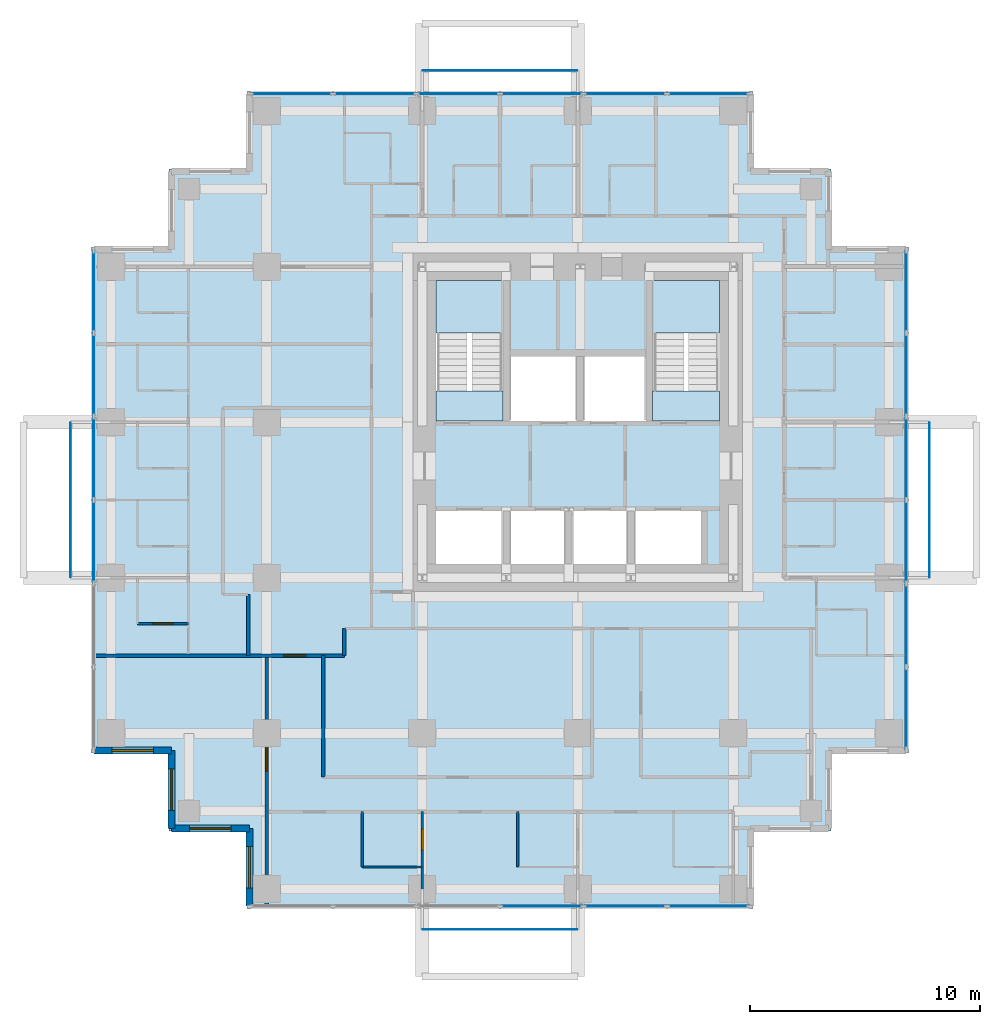
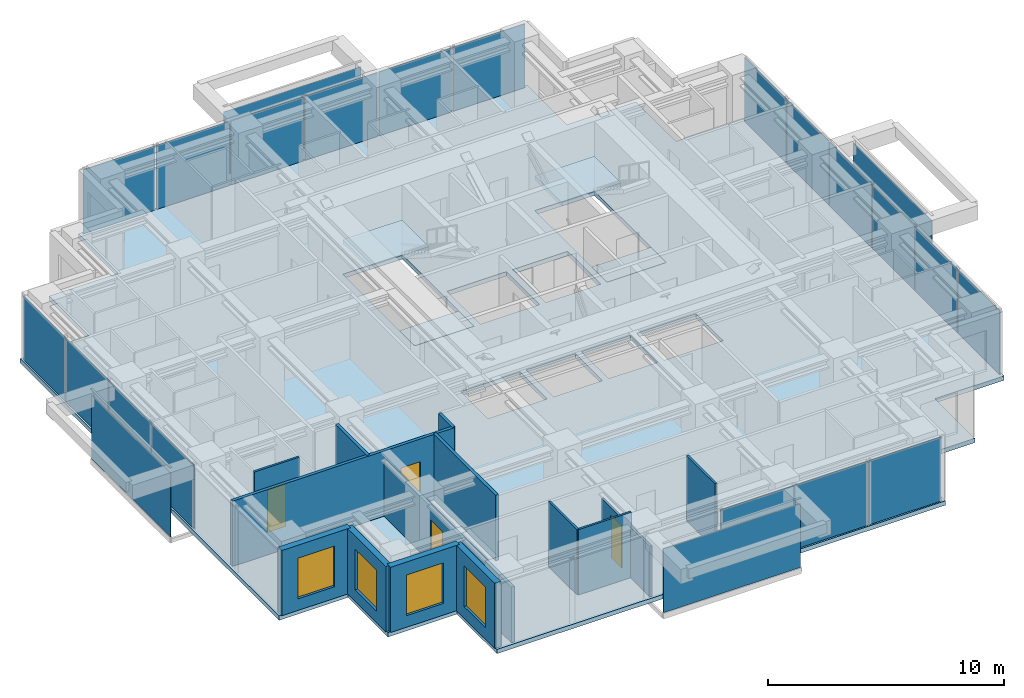
# One storey, part 5 of 10: 23 plates, 14 walls, 5 slabs, 4 doors, 4 windows, 8 openings, 6 elements without a shape of their own.
"""IFC4 building model written with IfcOpenShell, lengths in metres."""

from ifc_helpers import new_model, si_unit, direction, frame, frame_2d, origin, origin_2d, place, context, subcontext, project, spatial, polyline, rectangle, outline, extrude, material, layer, layer_set, type_object, element, fill, aggregate, save


model = new_model("IFC4")

# Units and contexts
model_context = context("Model", 3, precision=1e-05, world=origin(), true_north=direction((0.0, 1.0)))
body_context = subcontext(model_context, "Body", "Model", "MODEL_VIEW")
ifc_project = project(units=[si_unit("LENGTHUNIT", "METRE"), si_unit("AREAUNIT", "SQUARE_METRE"), si_unit("VOLUMEUNIT", "CUBIC_METRE"), si_unit("PLANEANGLEUNIT", "RADIAN"), si_unit("MASSUNIT", "GRAM", prefix="KILO")], contexts=[model_context])

# Site, building, storey
site_placement = place(None, origin())
site = spatial("IfcSite", under=ifc_project, at=site_placement, CompositionType="ELEMENT")
building_placement = place(site_placement, origin())
building = spatial("IfcBuilding", under=site, at=building_placement, Name="Nyansa Garden Tower", CompositionType="ELEMENT")
storey_placement = place(building_placement, frame((0.0, 0.0, 181.800048828125)))
storey = spatial("IfcBuildingStorey", under=building, at=storey_placement, Name="L49", CompositionType="ELEMENT", Elevation=181.800048828125)

# Curtain wall, plates
ifc_material_1 = material(Name="Black anodised aluminium, dark tinted double glazing", Category="aluminium")
curtain_wall_type = type_object("IfcCurtainWallType", Name="Inner skin curtain wall ISW-C", PredefinedType="USERDEFINED", material=ifc_material_1)
curtain_wall_1_placement = place(storey_placement, origin())
curtain_wall_1 = element("IfcCurtainWall", 1, at=curtain_wall_1_placement, inside=storey, type_object=curtain_wall_type, Name="Inner skin curtain wall L49 E", ObjectType="UNITISED CURTAIN WALL", PredefinedType="USERDEFINED")
ifc_material_2 = material(Name="Dark tinted laminated double glazing", Category="glass")
ifc_layer_1 = layer(ifc_material_2, 0.0400390625)
ifc_layer_set_1 = layer_set([ifc_layer_1], Name="Dark tinted vision panel VP-C")
plate_type_1 = type_object("IfcPlateType", Name="Dark tinted vision panel VP-C", PredefinedType="CURTAIN_PANEL", material=ifc_layer_set_1)
plate_1_placement = place(storey_placement, frame((34.5, 7.830078125, 0.0), z_axis=(0.0, 0.0, 1.0), x_axis=(0.0, 1.0, 0.0)))
plate_1 = element("IfcPlate", 2, at=plate_1_placement, type_object=plate_type_1, Name="ISW-C panel 1", PredefinedType="CURTAIN_PANEL", context=body_context, shape_type="SweptSolid", body=[
    extrude(rectangle(XDim=3.52001953125, YDim=0.0400390625, at=origin_2d()), origin(), (0.0, 0.0, 1.0), 3.304931640625),
])
plate_2_placement = place(storey_placement, frame((34.5, 11.4375, 0.0), z_axis=(0.0, 0.0, 1.0), x_axis=(0.0, 1.0, 0.0)))
plate_2 = element("IfcPlate", 3, at=plate_2_placement, type_object=plate_type_1, Name="ISW-C panel 2", PredefinedType="CURTAIN_PANEL", context=body_context, shape_type="SweptSolid", body=[
    extrude(rectangle(XDim=3.554931640625, YDim=0.0400390625, at=origin_2d()), origin(), (0.0, 0.0, 1.0), 3.304931640625),
])
plate_3_placement = place(storey_placement, frame((34.5, 15.0625, 0.0), z_axis=(0.0, 0.0, 1.0), x_axis=(0.0, 1.0, 0.0)))
plate_3 = element("IfcPlate", 4, at=plate_3_placement, type_object=plate_type_1, Name="ISW-C panel 3", PredefinedType="CURTAIN_PANEL", context=body_context, shape_type="SweptSolid", body=[
    extrude(rectangle(XDim=3.554931640625, YDim=0.0400390625, at=origin_2d()), origin(), (0.0, 0.0, 1.0), 3.304931640625),
])
plate_4_placement = place(storey_placement, frame((34.5, 18.6875, 0.0), z_axis=(0.0, 0.0, 1.0), x_axis=(0.0, 1.0, 0.0)))
plate_4 = element("IfcPlate", 5, at=plate_4_placement, type_object=plate_type_1, Name="ISW-C panel 4", PredefinedType="CURTAIN_PANEL", context=body_context, shape_type="SweptSolid", body=[
    extrude(rectangle(XDim=3.554931640625, YDim=0.0400390625, at=origin_2d()), origin(), (0.0, 0.0, 1.0), 3.304931640625),
])
plate_5_placement = place(storey_placement, frame((34.5, 22.3125, 0.0), z_axis=(0.0, 0.0, 1.0), x_axis=(0.0, 1.0, 0.0)))
plate_5 = element("IfcPlate", 6, at=plate_5_placement, type_object=plate_type_1, Name="ISW-C panel 5", PredefinedType="CURTAIN_PANEL", context=body_context, shape_type="SweptSolid", body=[
    extrude(rectangle(XDim=3.554931640625, YDim=0.0400390625, at=origin_2d()), origin(), (0.0, 0.0, 1.0), 3.304931640625),
])
plate_6_placement = place(storey_placement, frame((34.5, 25.919921875, 0.0), z_axis=(0.0, 0.0, 1.0), x_axis=(0.0, 1.0, 0.0)))
plate_6 = element("IfcPlate", 7, at=plate_6_placement, type_object=plate_type_1, Name="ISW-C panel 6", PredefinedType="CURTAIN_PANEL", context=body_context, shape_type="SweptSolid", body=[
    extrude(rectangle(XDim=3.52001953125, YDim=0.0400390625, at=origin_2d()), origin(), (0.0, 0.0, 1.0), 3.304931640625),
])
aggregate(curtain_wall_1, [plate_1, plate_2, plate_3, plate_4, plate_5, plate_6])

curtain_wall_2_placement = place(storey_placement, origin())
curtain_wall_2 = element("IfcCurtainWall", 8, at=curtain_wall_2_placement, inside=storey, type_object=curtain_wall_type, Name="Inner skin curtain wall L49 N", ObjectType="UNITISED CURTAIN WALL", PredefinedType="USERDEFINED")
plate_7_placement = place(storey_placement, frame((25.919921875, 34.5, 0.0), z_axis=(0.0, 0.0, 1.0), x_axis=(-1.0, 0.0, 0.0)))
plate_7 = element("IfcPlate", 9, at=plate_7_placement, type_object=plate_type_1, Name="ISW-C panel 1", PredefinedType="CURTAIN_PANEL", context=body_context, shape_type="SweptSolid", body=[
    extrude(rectangle(XDim=3.52001953125, YDim=0.0400390625, at=origin_2d()), origin(), (0.0, 0.0, 1.0), 3.304931640625),
])
plate_8_placement = place(storey_placement, frame((22.3125, 34.5, 0.0), z_axis=(0.0, 0.0, 1.0), x_axis=(-1.0, 0.0, 0.0)))
plate_8 = element("IfcPlate", 10, at=plate_8_placement, type_object=plate_type_1, Name="ISW-C panel 2", PredefinedType="CURTAIN_PANEL", context=body_context, shape_type="SweptSolid", body=[
    extrude(rectangle(XDim=3.554931640625, YDim=0.0400390625, at=origin_2d()), origin(), (0.0, 0.0, 1.0), 3.304931640625),
])
plate_9_placement = place(storey_placement, frame((18.6875, 34.5, 0.0), z_axis=(0.0, 0.0, 1.0), x_axis=(-1.0, 0.0, 0.0)))
plate_9 = element("IfcPlate", 11, at=plate_9_placement, type_object=plate_type_1, Name="ISW-C panel 3", PredefinedType="CURTAIN_PANEL", context=body_context, shape_type="SweptSolid", body=[
    extrude(rectangle(XDim=3.554931640625, YDim=0.0400390625, at=origin_2d()), origin(), (0.0, 0.0, 1.0), 3.304931640625),
])
plate_10_placement = place(storey_placement, frame((15.0625, 34.5, 0.0), z_axis=(0.0, 0.0, 1.0), x_axis=(-1.0, 0.0, 0.0)))
plate_10 = element("IfcPlate", 12, at=plate_10_placement, type_object=plate_type_1, Name="ISW-C panel 4", PredefinedType="CURTAIN_PANEL", context=body_context, shape_type="SweptSolid", body=[
    extrude(rectangle(XDim=3.554931640625, YDim=0.0400390625, at=origin_2d()), origin(), (0.0, 0.0, 1.0), 3.304931640625),
])
plate_11_placement = place(storey_placement, frame((11.4375, 34.5, 0.0), z_axis=(0.0, 0.0, 1.0), x_axis=(-1.0, 0.0, 0.0)))
plate_11 = element("IfcPlate", 13, at=plate_11_placement, type_object=plate_type_1, Name="ISW-C panel 5", PredefinedType="CURTAIN_PANEL", context=body_context, shape_type="SweptSolid", body=[
    extrude(rectangle(XDim=3.554931640625, YDim=0.0400390625, at=origin_2d()), origin(), (0.0, 0.0, 1.0), 3.304931640625),
])
plate_12_placement = place(storey_placement, frame((7.830078125, 34.5, 0.0), z_axis=(0.0, 0.0, 1.0), x_axis=(-1.0, 0.0, 0.0)))
plate_12 = element("IfcPlate", 14, at=plate_12_placement, type_object=plate_type_1, Name="ISW-C panel 6", PredefinedType="CURTAIN_PANEL", context=body_context, shape_type="SweptSolid", body=[
    extrude(rectangle(XDim=3.52001953125, YDim=0.0400390625, at=origin_2d()), origin(), (0.0, 0.0, 1.0), 3.304931640625),
])
aggregate(curtain_wall_2, [plate_7, plate_8, plate_9, plate_10, plate_11, plate_12])

curtain_wall_3_placement = place(storey_placement, origin())
curtain_wall_3 = element("IfcCurtainWall", 15, at=curtain_wall_3_placement, inside=storey, type_object=curtain_wall_type, Name="Inner skin curtain wall L49 W", ObjectType="UNITISED CURTAIN WALL", PredefinedType="USERDEFINED")
plate_13_placement = place(storey_placement, frame((-0.75, 25.919921875, 0.0), z_axis=(0.0, 0.0, 1.0), x_axis=(0.0, -1.0, 0.0)))
plate_13 = element("IfcPlate", 16, at=plate_13_placement, type_object=plate_type_1, Name="ISW-C panel 1", PredefinedType="CURTAIN_PANEL", context=body_context, shape_type="SweptSolid", body=[
    extrude(rectangle(XDim=3.52001953125, YDim=0.0400390625, at=origin_2d()), origin(), (0.0, 0.0, 1.0), 3.304931640625),
])
plate_14_placement = place(storey_placement, frame((-0.75, 22.3125, 0.0), z_axis=(0.0, 0.0, 1.0), x_axis=(0.0, -1.0, 0.0)))
plate_14 = element("IfcPlate", 17, at=plate_14_placement, type_object=plate_type_1, Name="ISW-C panel 2", PredefinedType="CURTAIN_PANEL", context=body_context, shape_type="SweptSolid", body=[
    extrude(rectangle(XDim=3.554931640625, YDim=0.0400390625, at=origin_2d()), origin(), (0.0, 0.0, 1.0), 3.304931640625),
])
plate_15_placement = place(storey_placement, frame((-0.75, 18.6875, 0.0), z_axis=(0.0, 0.0, 1.0), x_axis=(0.0, -1.0, 0.0)))
plate_15 = element("IfcPlate", 18, at=plate_15_placement, type_object=plate_type_1, Name="ISW-C panel 3", PredefinedType="CURTAIN_PANEL", context=body_context, shape_type="SweptSolid", body=[
    extrude(rectangle(XDim=3.554931640625, YDim=0.0400390625, at=origin_2d()), origin(), (0.0, 0.0, 1.0), 3.304931640625),
])
plate_16_placement = place(storey_placement, frame((-0.75, 15.0625, 0.0), z_axis=(0.0, 0.0, 1.0), x_axis=(0.0, -1.0, 0.0)))
plate_16 = element("IfcPlate", 19, at=plate_16_placement, type_object=plate_type_1, Name="ISW-C panel 4", PredefinedType="CURTAIN_PANEL", context=body_context, shape_type="SweptSolid", body=[
    extrude(rectangle(XDim=3.554931640625, YDim=0.0400390625, at=origin_2d()), origin(), (0.0, 0.0, 1.0), 3.304931640625),
])
aggregate(curtain_wall_3, [plate_13, plate_14, plate_15, plate_16])

curtain_wall_4_placement = place(storey_placement, origin())
curtain_wall_4 = element("IfcCurtainWall", 20, at=curtain_wall_4_placement, inside=storey, type_object=curtain_wall_type, Name="Inner skin curtain wall L49 S", ObjectType="UNITISED CURTAIN WALL", PredefinedType="USERDEFINED")
plate_17_placement = place(storey_placement, frame((18.6875, -0.75, 0.0), z_axis=(0.0, 0.0, 1.0), x_axis=(1.0, 0.0, 0.0)))
plate_17 = element("IfcPlate", 21, at=plate_17_placement, type_object=plate_type_1, Name="ISW-C panel 4", PredefinedType="CURTAIN_PANEL", context=body_context, shape_type="SweptSolid", body=[
    extrude(rectangle(XDim=3.554931640625, YDim=0.0400390625, at=origin_2d()), origin(), (0.0, 0.0, 1.0), 3.304931640625),
])
plate_18_placement = place(storey_placement, frame((22.3125, -0.75, 0.0), z_axis=(0.0, 0.0, 1.0), x_axis=(1.0, 0.0, 0.0)))
plate_18 = element("IfcPlate", 22, at=plate_18_placement, type_object=plate_type_1, Name="ISW-C panel 5", PredefinedType="CURTAIN_PANEL", context=body_context, shape_type="SweptSolid", body=[
    extrude(rectangle(XDim=3.554931640625, YDim=0.0400390625, at=origin_2d()), origin(), (0.0, 0.0, 1.0), 3.304931640625),
])
plate_19_placement = place(storey_placement, frame((25.919921875, -0.75, 0.0), z_axis=(0.0, 0.0, 1.0), x_axis=(1.0, 0.0, 0.0)))
plate_19 = element("IfcPlate", 23, at=plate_19_placement, type_object=plate_type_1, Name="ISW-C panel 6", PredefinedType="CURTAIN_PANEL", context=body_context, shape_type="SweptSolid", body=[
    extrude(rectangle(XDim=3.52001953125, YDim=0.0400390625, at=origin_2d()), origin(), (0.0, 0.0, 1.0), 3.304931640625),
])
aggregate(curtain_wall_4, [plate_17, plate_18, plate_19])

# Slab
ifc_material_3 = material(Name="Concrete C40/50", Category="concrete")
ifc_layer_2 = layer(ifc_material_3, 0.22509765625)
ifc_layer_set_2 = layer_set([ifc_layer_2], Name="Floor slab FS225")
slab_type_1 = type_object("IfcSlabType", Name="Floor slab FS225", PredefinedType="FLOOR", material=ifc_layer_set_2)
slab_1_placement = place(storey_placement, frame((0.0, 0.0, -0.22509765625)))
element("IfcSlab", 24, at=slab_1_placement, inside=storey, type_object=slab_type_1, Name="Floor slab L49", PredefinedType="FLOOR", context=body_context, shape_type="SweptSolid", body=[
    extrude(outline(polyline([(34.60009765625, 5.89990234375), (31.22509765625, 5.89990234375), (31.22509765625, 2.52490234375), (27.85009765625, 2.52490234375), (27.85009765625, -0.85009765625), (5.89990234375, -0.85009765625), (5.89990234375, 2.52490234375), (2.52490234375, 2.52490234375), (2.52490234375, 5.89990234375), (-0.85009765625, 5.89990234375), (-0.85009765625, 27.85009765625), (2.52490234375, 27.85009765625), (2.52490234375, 31.22509765625), (5.89990234375, 31.22509765625), (5.89990234375, 34.60009765625), (27.85009765625, 34.60009765625), (27.85009765625, 31.22509765625), (31.22509765625, 31.22509765625), (31.22509765625, 27.85009765625), (34.60009765625, 27.85009765625), (34.60009765625, 5.89990234375)]), holes=[polyline([(14.10009765625, 14.10009765625), (17.0, 14.10009765625), (17.0, 16.39990234375), (14.10009765625, 16.39990234375), (14.10009765625, 14.10009765625)]), polyline([(17.300048828125, 14.10009765625), (19.699951171875, 14.10009765625), (19.699951171875, 16.39990234375), (17.300048828125, 16.39990234375), (17.300048828125, 14.10009765625)]), polyline([(20.0, 14.10009765625), (22.39990234375, 14.10009765625), (22.39990234375, 16.39990234375), (20.0, 16.39990234375), (20.0, 14.10009765625)]), polyline([(22.699951171875, 14.10009765625), (25.60009765625, 14.10009765625), (25.60009765625, 16.39990234375), (22.699951171875, 16.39990234375), (22.699951171875, 14.10009765625)]), polyline([(17.300048828125, 20.300048828125), (20.199951171875, 20.300048828125), (20.199951171875, 23.10009765625), (17.300048828125, 23.10009765625), (17.300048828125, 20.300048828125)]), polyline([(20.5, 20.300048828125), (23.199951171875, 20.300048828125), (23.199951171875, 23.10009765625), (20.5, 23.10009765625), (20.5, 20.300048828125)]), polyline([(14.10009765625, 20.300048828125), (17.0, 20.300048828125), (17.0, 26.39990234375), (14.10009765625, 26.39990234375), (14.10009765625, 20.300048828125)]), polyline([(23.5, 20.300048828125), (26.39990234375, 20.300048828125), (26.39990234375, 26.39990234375), (23.5, 26.39990234375), (23.5, 20.300048828125)])]), origin(), (0.0, 0.0, 1.0), 0.22509765625),
])

# Plates
ifc_material_4 = material(Name="Dark tinted laminated glass", Category="glass")
ifc_layer_3 = layer(ifc_material_4, 0.02392578125)
ifc_layer_set_3 = layer_set([ifc_layer_3], Name="Outer skin glass panel OS1")
plate_type_2 = type_object("IfcPlateType", Name="Outer skin glass panel OS1", PredefinedType="USERDEFINED", material=ifc_layer_set_3)
for number, where, z_axis, x_axis, name in (
    (25, (35.5, 16.875, -0.22509765625), (0.0, 0.0, 1.0), (0.0, 1.0, 0.0), "Outer skin glass panel L49"),
    (26, (16.875, 35.5, -0.22509765625), (0.0, 0.0, 1.0), (1.0, 0.0, 0.0), "Outer skin glass panel L49"),
    (27, (-1.75, 16.875, -0.22509765625), (0.0, 0.0, 1.0), (0.0, 1.0, 0.0), "Outer skin glass panel L49"),
    (28, (16.875, -1.75, -0.22509765625), (0.0, 0.0, 1.0), (1.0, 0.0, 0.0), "Outer skin glass panel L49"),
):
    element("IfcPlate", number, at=place(storey_placement, frame(where, z_axis=z_axis, x_axis=x_axis)), inside=storey, type_object=plate_type_2, Name=name, ObjectType="OUTER SKIN GLASS", PredefinedType="USERDEFINED", context=body_context, shape_type="SweptSolid", body=[
        extrude(rectangle(XDim=6.7099609375, YDim=0.02392578125, at=origin_2d()), origin(), (0.0, 0.0, 1.0), 3.300048828125),
    ])

# Stair, slabs
ifc_material_5 = material(Name="Precast concrete C40/50", Category="concrete")
stair_type_1 = type_object("IfcStairType", Name="Stair S1 180x280", PredefinedType="HALF_TURN_STAIR", material=ifc_material_5)
stair_1_placement = place(storey_placement, origin())
stair_1 = element("IfcStair", 29, at=stair_1_placement, inside=storey, type_object=stair_type_1, Name="Stair S1 L49", PredefinedType="HALF_TURN_STAIR")
ifc_material_6 = material(Name="Concrete C40/50", Category="concrete")
ifc_layer_4 = layer(ifc_material_6, 0.199951171875)
ifc_layer_set_4 = layer_set([ifc_layer_4], Name="Stair landing SL200")
slab_type_2 = type_object("IfcSlabType", Name="Stair landing SL200", PredefinedType="LANDING", material=ifc_layer_set_4)
slab_2_placement = place(storey_placement, frame((0.0, 0.0, -0.199951171875)))
slab_2 = element("IfcSlab", 30, at=slab_2_placement, type_object=slab_type_2, Name="S1 landing 1", PredefinedType="LANDING", context=body_context, shape_type="SweptSolid", body=[
    extrude(outline(polyline([(14.10009765625, 20.300048828125), (17.0, 20.300048828125), (17.0, 21.60009765625), (14.10009765625, 21.60009765625), (14.10009765625, 20.300048828125)])), origin(), (0.0, 0.0, 1.0), 0.199951171875),
])
slab_3_placement = place(storey_placement, frame((0.0, 0.0, 1.599853515625)))
slab_3 = element("IfcSlab", 31, at=slab_3_placement, type_object=slab_type_2, Name="S1 landing 2", PredefinedType="LANDING", context=body_context, shape_type="SweptSolid", body=[
    extrude(outline(polyline([(14.10009765625, 24.1201171875), (17.0, 24.1201171875), (17.0, 26.39990234375), (14.10009765625, 26.39990234375), (14.10009765625, 24.1201171875)])), origin(), (0.0, 0.0, 1.0), 0.2001953125),
])
aggregate(stair_1, [slab_2, slab_3])

ifc_material_7 = material(Name="Precast concrete C40/50", Category="concrete")
stair_type_2 = type_object("IfcStairType", Name="Stair S2 180x280", PredefinedType="HALF_TURN_STAIR", material=ifc_material_7)
stair_2_placement = place(storey_placement, origin())
stair_2 = element("IfcStair", 32, at=stair_2_placement, inside=storey, type_object=stair_type_2, Name="Stair S2 L49", PredefinedType="HALF_TURN_STAIR")
slab_4_placement = place(storey_placement, frame((0.0, 0.0, -0.199951171875)))
slab_4 = element("IfcSlab", 33, at=slab_4_placement, type_object=slab_type_2, Name="S2 landing 1", PredefinedType="LANDING", context=body_context, shape_type="SweptSolid", body=[
    extrude(outline(polyline([(23.5, 20.300048828125), (26.39990234375, 20.300048828125), (26.39990234375, 21.60009765625), (23.5, 21.60009765625), (23.5, 20.300048828125)])), origin(), (0.0, 0.0, 1.0), 0.199951171875),
])
slab_5_placement = place(storey_placement, frame((0.0, 0.0, 1.599853515625)))
slab_5 = element("IfcSlab", 34, at=slab_5_placement, type_object=slab_type_2, Name="S2 landing 2", PredefinedType="LANDING", context=body_context, shape_type="SweptSolid", body=[
    extrude(outline(polyline([(23.5, 24.1201171875), (26.39990234375, 24.1201171875), (26.39990234375, 26.39990234375), (23.5, 26.39990234375), (23.5, 24.1201171875)])), origin(), (0.0, 0.0, 1.0), 0.2001953125),
])
aggregate(stair_2, [slab_4, slab_5])

# Wall, opening, door
ifc_material_8 = material(Name="Blockwork, plastered both sides", Category="masonry")
ifc_layer_5 = layer(ifc_material_8, 0.14990234375)
ifc_layer_set_5 = layer_set([ifc_layer_5], Name="Partition PW150")
wall_type_1 = type_object("IfcWallType", Name="Partition PW150", PredefinedType="PARTITIONING", material=ifc_layer_set_5)
wall_1_placement = place(storey_placement, frame((-0.73388671875, 10.125, 0.0), z_axis=(0.0, 0.0, 1.0), x_axis=(1.0, 0.0, 0.0)))
wall_1 = element("IfcWall", 35, at=wall_1_placement, inside=storey, type_object=wall_type_1, Name="Partition", PredefinedType="PARTITIONING", context=body_context, shape_type="SweptSolid", body=[
    extrude(rectangle(XDim=10.85888671875, YDim=0.14990234375, at=frame_2d((5.429443359375, 0.0))), origin(), (0.0, 0.0, 1.0), 3.375),
])
opening_1_placement = place(wall_1_placement, frame((8.23388671875, 0.0, 0.0)))
opening_1 = element("IfcOpeningElement", 36, at=opening_1_placement, cuts=wall_1, Name="Opening D01", PredefinedType="OPENING", context=body_context, shape_type="SweptSolid", body=[
    extrude(rectangle(XDim=0.949951171875, YDim=2.199951171875, at=frame_2d((0.47509765625, 1.10009765625))), frame((0.0, 0.0849609375, 0.0), z_axis=(0.0, -1.0, 0.0), x_axis=(1.0, 0.0, 0.0)), (0.0, 0.0, 1.0), 0.169921875),
])
ifc_material_9 = material(Name="Timber flush door, 30 minute fire resisting", Category="wood")
door_type_1 = type_object("IfcDoorType", Name="Bedroom door D01 950x2200", OperationType="SINGLE_SWING_LEFT", PredefinedType="DOOR", material=ifc_material_9)
door_1_placement = place(opening_1_placement, origin())
door_1 = element("IfcDoor", 37, at=door_1_placement, inside=storey, type_object=door_type_1, Name="Door L49-062", OperationType="SINGLE_SWING_LEFT", OverallHeight=2.199951171875, OverallWidth=0.949951171875, PredefinedType="DOOR", context=body_context, shape_type="SweptSolid", body=[
    extrude(rectangle(XDim=0.949951171875, YDim=2.199951171875, at=frame_2d((0.47509765625, 1.10009765625))), frame((0.0, 0.02490234375, 0.0), z_axis=(0.0, -1.0, 0.0), x_axis=(1.0, 0.0, 0.0)), (0.0, 0.0, 1.0), 0.050048828125),
])
fill(opening_1, door_1)

# Wall
wall_2_placement = place(storey_placement, frame((5.949951171875, 10.125, 0.0), z_axis=(0.0, 0.0, 1.0), x_axis=(0.0, 1.0, 0.0)))
element("IfcWall", 38, at=wall_2_placement, inside=storey, type_object=wall_type_1, Name="Partition", PredefinedType="PARTITIONING", context=body_context, shape_type="SweptSolid", body=[
    extrude(rectangle(XDim=2.64990234375, YDim=0.14990234375, at=frame_2d((1.324951171875, 0.0))), origin(), (0.0, 0.0, 1.0), 3.375),
])

# Wall, opening, door
wall_3_placement = place(storey_placement, frame((6.75, -0.73388671875, 0.0), z_axis=(0.0, 0.0, 1.0), x_axis=(0.0, 1.0, 0.0)))
wall_3 = element("IfcWall", 39, at=wall_3_placement, inside=storey, type_object=wall_type_1, Name="Partition", PredefinedType="PARTITIONING", context=body_context, shape_type="SweptSolid", body=[
    extrude(rectangle(XDim=10.85888671875, YDim=0.14990234375, at=frame_2d((5.429443359375, 0.0))), origin(), (0.0, 0.0, 1.0), 2.876953125),
])
opening_2_placement = place(wall_3_placement, frame((5.833984375, 0.0, 0.0)))
opening_2 = element("IfcOpeningElement", 40, at=opening_2_placement, cuts=wall_3, Name="Opening D03", PredefinedType="OPENING", context=body_context, shape_type="SweptSolid", body=[
    extrude(rectangle(XDim=1.0, YDim=2.199951171875, at=frame_2d((0.5, 1.10009765625))), frame((0.0, 0.0849609375, 0.0), z_axis=(0.0, -1.0, 0.0), x_axis=(1.0, 0.0, 0.0)), (0.0, 0.0, 1.0), 0.169921875),
])
ifc_material_10 = material(Name="Timber flush door, 60 minute fire resisting", Category="wood")
door_type_2 = type_object("IfcDoorType", Name="Cluster entrance door D03 1000x2200", OperationType="SINGLE_SWING_LEFT", PredefinedType="DOOR", material=ifc_material_10)
door_2_placement = place(opening_2_placement, origin())
door_2 = element("IfcDoor", 41, at=door_2_placement, inside=storey, type_object=door_type_2, Name="Door L49-017", OperationType="SINGLE_SWING_LEFT", OverallHeight=2.199951171875, OverallWidth=1.0, PredefinedType="DOOR", context=body_context, shape_type="SweptSolid", body=[
    extrude(rectangle(XDim=1.0, YDim=2.199951171875, at=frame_2d((0.5, 1.10009765625))), frame((0.0, 0.02490234375, 0.0), z_axis=(0.0, -1.0, 0.0), x_axis=(1.0, 0.0, 0.0)), (0.0, 0.0, 1.0), 0.050048828125),
])
fill(opening_2, door_2)

# Walls
wall_4_placement = place(storey_placement, frame((9.199951171875, 4.85009765625, 0.0), z_axis=(0.0, 0.0, 1.0), x_axis=(0.0, 1.0, 0.0)))
element("IfcWall", 42, at=wall_4_placement, inside=storey, type_object=wall_type_1, Name="Partition", PredefinedType="PARTITIONING", context=body_context, shape_type="SweptSolid", body=[
    extrude(rectangle(XDim=5.27490234375, YDim=0.14990234375, at=frame_2d((2.637451171875, 0.0))), origin(), (0.0, 0.0, 1.0), 3.375),
])
wall_5_placement = place(storey_placement, frame((10.125, 10.125, 0.0), z_axis=(0.0, 0.0, 1.0), x_axis=(0.0, 1.0, 0.0)))
element("IfcWall", 43, at=wall_5_placement, inside=storey, type_object=wall_type_1, Name="Partition", PredefinedType="PARTITIONING", context=body_context, shape_type="SweptSolid", body=[
    extrude(rectangle(XDim=1.175048828125, YDim=0.14990234375, at=frame_2d((0.58740234375, 0.0))), origin(), (0.0, 0.0, 1.0), 3.375),
])

# Wall, opening, window
ifc_material_11 = material(Name="Turquoise glazed tile on concrete blockwork", Category="masonry")
ifc_layer_6 = layer(ifc_material_11, 0.300048828125)
ifc_layer_set_6 = layer_set([ifc_layer_6], Name="Tiled corner wall TW300")
wall_type_2 = type_object("IfcWallType", Name="Tiled corner wall TW300", PredefinedType="SOLIDWALL", material=ifc_layer_set_6)
wall_6_placement = place(storey_placement, frame((-0.75, 6.0, 0.0), z_axis=(0.0, 0.0, 1.0), x_axis=(1.0, 0.0, 0.0)))
wall_6 = element("IfcWall", 44, at=wall_6_placement, inside=storey, type_object=wall_type_2, Name="Tiled corner wall L49", PredefinedType="SOLIDWALL", context=body_context, shape_type="SweptSolid", body=[
    extrude(rectangle(XDim=3.375, YDim=0.300048828125, at=frame_2d((1.6875, 0.0))), origin(), (0.0, 0.0, 1.0), 3.375),
])
opening_3_placement = place(wall_6_placement, frame((0.78759765625, 0.0, 0.60009765625)))
opening_3 = element("IfcOpeningElement", 45, at=opening_3_placement, cuts=wall_6, Name="Opening W2", PredefinedType="OPENING", context=body_context, shape_type="SweptSolid", body=[
    extrude(rectangle(XDim=1.800048828125, YDim=2.10009765625, at=frame_2d((0.89990234375, 1.050048828125))), frame((0.0, 0.159912109375, 0.0), z_axis=(0.0, -1.0, 0.0), x_axis=(1.0, 0.0, 0.0)), (0.0, 0.0, 1.0), 0.320068359375),
])
ifc_material_12 = material(Name="Black aluminium frame, dark tinted double glazing", Category="aluminium")
window_type = type_object("IfcWindowType", Name="Window W2 1800x2100", PartitioningType="SINGLE_PANEL", PredefinedType="WINDOW", material=ifc_material_12)
window_1_placement = place(opening_3_placement, origin())
window_1 = element("IfcWindow", 46, at=window_1_placement, inside=storey, type_object=window_type, Name="Corner window L49", OverallHeight=2.10009765625, OverallWidth=1.800048828125, PartitioningType="SINGLE_PANEL", PredefinedType="WINDOW", context=body_context, shape_type="SweptSolid", body=[
    extrude(rectangle(XDim=1.800048828125, YDim=2.10009765625, at=frame_2d((0.89990234375, 1.050048828125))), frame((0.0, 0.030029296875, 0.0), z_axis=(0.0, -1.0, 0.0), x_axis=(1.0, 0.0, 0.0)), (0.0, 0.0, 1.0), 0.06005859375),
])
fill(opening_3, window_1)

wall_7_placement = place(storey_placement, frame((2.625, 6.0, 0.0), z_axis=(0.0, 0.0, 1.0), x_axis=(0.0, -1.0, 0.0)))
wall_7 = element("IfcWall", 47, at=wall_7_placement, inside=storey, type_object=wall_type_2, Name="Tiled corner wall L49", PredefinedType="SOLIDWALL", context=body_context, shape_type="SweptSolid", body=[
    extrude(rectangle(XDim=3.375, YDim=0.300048828125, at=frame_2d((1.6875, 0.0))), origin(), (0.0, 0.0, 1.0), 3.375),
])
opening_4_placement = place(wall_7_placement, frame((0.78759765625, 0.0, 0.60009765625)))
opening_4 = element("IfcOpeningElement", 48, at=opening_4_placement, cuts=wall_7, Name="Opening W2", PredefinedType="OPENING", context=body_context, shape_type="SweptSolid", body=[
    extrude(rectangle(XDim=1.800048828125, YDim=2.10009765625, at=frame_2d((0.89990234375, 1.050048828125))), frame((0.0, 0.159912109375, 0.0), z_axis=(0.0, -1.0, 0.0), x_axis=(1.0, 0.0, 0.0)), (0.0, 0.0, 1.0), 0.320068359375),
])
window_2_placement = place(opening_4_placement, origin())
window_2 = element("IfcWindow", 49, at=window_2_placement, inside=storey, type_object=window_type, Name="Corner window L49", OverallHeight=2.10009765625, OverallWidth=1.800048828125, PartitioningType="SINGLE_PANEL", PredefinedType="WINDOW", context=body_context, shape_type="SweptSolid", body=[
    extrude(rectangle(XDim=1.800048828125, YDim=2.10009765625, at=frame_2d((0.89990234375, 1.050048828125))), frame((0.0, 0.030029296875, 0.0), z_axis=(0.0, -1.0, 0.0), x_axis=(1.0, 0.0, 0.0)), (0.0, 0.0, 1.0), 0.06005859375),
])
fill(opening_4, window_2)

wall_8_placement = place(storey_placement, frame((2.625, 2.625, 0.0), z_axis=(0.0, 0.0, 1.0), x_axis=(1.0, 0.0, 0.0)))
wall_8 = element("IfcWall", 50, at=wall_8_placement, inside=storey, type_object=wall_type_2, Name="Tiled corner wall L49", PredefinedType="SOLIDWALL", context=body_context, shape_type="SweptSolid", body=[
    extrude(rectangle(XDim=3.375, YDim=0.300048828125, at=frame_2d((1.6875, 0.0))), origin(), (0.0, 0.0, 1.0), 3.375),
])
opening_5_placement = place(wall_8_placement, frame((0.78759765625, 0.0, 0.60009765625)))
opening_5 = element("IfcOpeningElement", 51, at=opening_5_placement, cuts=wall_8, Name="Opening W2", PredefinedType="OPENING", context=body_context, shape_type="SweptSolid", body=[
    extrude(rectangle(XDim=1.800048828125, YDim=2.10009765625, at=frame_2d((0.89990234375, 1.050048828125))), frame((0.0, 0.159912109375, 0.0), z_axis=(0.0, -1.0, 0.0), x_axis=(1.0, 0.0, 0.0)), (0.0, 0.0, 1.0), 0.320068359375),
])
window_3_placement = place(opening_5_placement, origin())
window_3 = element("IfcWindow", 52, at=window_3_placement, inside=storey, type_object=window_type, Name="Corner window L49", OverallHeight=2.10009765625, OverallWidth=1.800048828125, PartitioningType="SINGLE_PANEL", PredefinedType="WINDOW", context=body_context, shape_type="SweptSolid", body=[
    extrude(rectangle(XDim=1.800048828125, YDim=2.10009765625, at=frame_2d((0.89990234375, 1.050048828125))), frame((0.0, 0.030029296875, 0.0), z_axis=(0.0, -1.0, 0.0), x_axis=(1.0, 0.0, 0.0)), (0.0, 0.0, 1.0), 0.06005859375),
])
fill(opening_5, window_3)

wall_9_placement = place(storey_placement, frame((6.0, 2.625, 0.0), z_axis=(0.0, 0.0, 1.0), x_axis=(0.0, -1.0, 0.0)))
wall_9 = element("IfcWall", 53, at=wall_9_placement, inside=storey, type_object=wall_type_2, Name="Tiled corner wall L49", PredefinedType="SOLIDWALL", context=body_context, shape_type="SweptSolid", body=[
    extrude(rectangle(XDim=3.375, YDim=0.300048828125, at=frame_2d((1.6875, 0.0))), origin(), (0.0, 0.0, 1.0), 3.375),
])
opening_6_placement = place(wall_9_placement, frame((0.78759765625, 0.0, 0.60009765625)))
opening_6 = element("IfcOpeningElement", 54, at=opening_6_placement, cuts=wall_9, Name="Opening W2", PredefinedType="OPENING", context=body_context, shape_type="SweptSolid", body=[
    extrude(rectangle(XDim=1.800048828125, YDim=2.10009765625, at=frame_2d((0.89990234375, 1.050048828125))), frame((0.0, 0.159912109375, 0.0), z_axis=(0.0, -1.0, 0.0), x_axis=(1.0, 0.0, 0.0)), (0.0, 0.0, 1.0), 0.320068359375),
])
window_4_placement = place(opening_6_placement, origin())
window_4 = element("IfcWindow", 55, at=window_4_placement, inside=storey, type_object=window_type, Name="Corner window L49", OverallHeight=2.10009765625, OverallWidth=1.800048828125, PartitioningType="SINGLE_PANEL", PredefinedType="WINDOW", context=body_context, shape_type="SweptSolid", body=[
    extrude(rectangle(XDim=1.800048828125, YDim=2.10009765625, at=frame_2d((0.89990234375, 1.050048828125))), frame((0.0, 0.030029296875, 0.0), z_axis=(0.0, -1.0, 0.0), x_axis=(1.0, 0.0, 0.0)), (0.0, 0.0, 1.0), 0.06005859375),
])
fill(opening_6, window_4)

# Wall, opening, door
ifc_material_13 = material(Name="Moisture resistant board on steel studs, tiled", Category="steel")
ifc_layer_7 = layer(ifc_material_13, 0.10009765625)
ifc_layer_set_7 = layer_set([ifc_layer_7], Name="Wet wall PW100")
wall_type_3 = type_object("IfcWallType", Name="Wet wall PW100", PredefinedType="PARTITIONING", material=ifc_layer_set_7)
wall_10_placement = place(storey_placement, frame((1.14990234375, 11.5, 0.0), z_axis=(0.0, 0.0, 1.0), x_axis=(1.0, 0.0, 0.0)))
wall_10 = element("IfcWall", 56, at=wall_10_placement, inside=storey, type_object=wall_type_3, Name="Wet wall", PredefinedType="PARTITIONING", context=body_context, shape_type="SweptSolid", body=[
    extrude(rectangle(XDim=2.2001953125, YDim=0.10009765625, at=frame_2d((1.10009765625, 0.0))), origin(), (0.0, 0.0, 1.0), 3.375),
])
opening_7_placement = place(wall_10_placement, frame((0.64990234375, 0.0, 0.0)))
opening_7 = element("IfcOpeningElement", 57, at=opening_7_placement, cuts=wall_10, Name="Opening D02", PredefinedType="OPENING", context=body_context, shape_type="SweptSolid", body=[
    extrude(rectangle(XDim=0.89990234375, YDim=2.199951171875, at=frame_2d((0.449951171875, 1.10009765625))), frame((0.0, 0.06005859375, 0.0), z_axis=(0.0, -1.0, 0.0), x_axis=(1.0, 0.0, 0.0)), (0.0, 0.0, 1.0), 0.1201171875),
])
ifc_material_14 = material(Name="Timber flush door", Category="wood")
door_type_3 = type_object("IfcDoorType", Name="En-suite door D02 900x2200", OperationType="SINGLE_SWING_RIGHT", PredefinedType="DOOR", material=ifc_material_14)
door_3_placement = place(opening_7_placement, origin())
door_3 = element("IfcDoor", 58, at=door_3_placement, inside=storey, type_object=door_type_3, Name="Door L49-054", OperationType="SINGLE_SWING_RIGHT", OverallHeight=2.199951171875, OverallWidth=0.89990234375, PredefinedType="DOOR", context=body_context, shape_type="SweptSolid", body=[
    extrude(rectangle(XDim=0.89990234375, YDim=2.199951171875, at=frame_2d((0.449951171875, 1.10009765625))), frame((0.0, 0.02490234375, 0.0), z_axis=(0.0, -1.0, 0.0), x_axis=(1.0, 0.0, 0.0)), (0.0, 0.0, 1.0), 0.050048828125),
])
fill(opening_7, door_3)

# Walls
wall_11_placement = place(storey_placement, frame((10.89990234375, 0.949951171875, 0.0), z_axis=(0.0, 0.0, 1.0), x_axis=(0.0, 1.0, 0.0)))
element("IfcWall", 59, at=wall_11_placement, inside=storey, type_object=wall_type_3, Name="Wet wall", PredefinedType="PARTITIONING", context=body_context, shape_type="SweptSolid", body=[
    extrude(rectangle(XDim=2.400146484375, YDim=0.10009765625, at=frame_2d((1.2001953125, 0.0))), origin(), (0.0, 0.0, 1.0), 3.375),
])
wall_12_placement = place(storey_placement, frame((10.89990234375, 0.949951171875, 0.0), z_axis=(0.0, 0.0, 1.0), x_axis=(1.0, 0.0, 0.0)))
element("IfcWall", 60, at=wall_12_placement, inside=storey, type_object=wall_type_3, Name="Wet wall", PredefinedType="PARTITIONING", context=body_context, shape_type="SweptSolid", body=[
    extrude(rectangle(XDim=2.60009765625, YDim=0.10009765625, at=frame_2d((1.300048828125, 0.0))), origin(), (0.0, 0.0, 1.0), 3.375),
])

# Wall, opening, door
wall_13_placement = place(storey_placement, frame((13.5, -0.73388671875, 0.0), z_axis=(0.0, 0.0, 1.0), x_axis=(0.0, 1.0, 0.0)))
wall_13 = element("IfcWall", 61, at=wall_13_placement, inside=storey, type_object=wall_type_3, Name="Wet wall", PredefinedType="PARTITIONING", context=body_context, shape_type="SweptSolid", body=[
    extrude(rectangle(XDim=4.083984375, YDim=0.10009765625, at=frame_2d((2.0419921875, 0.0))), origin(), (0.0, 0.0, 1.0), 2.60986328125),
])
opening_8_placement = place(wall_13_placement, frame((2.43408203125, 0.0, 0.0)))
opening_8 = element("IfcOpeningElement", 62, at=opening_8_placement, cuts=wall_13, Name="Opening D02", PredefinedType="OPENING", context=body_context, shape_type="SweptSolid", body=[
    extrude(rectangle(XDim=0.89990234375, YDim=2.199951171875, at=frame_2d((0.449951171875, 1.10009765625))), frame((0.0, 0.06005859375, 0.0), z_axis=(0.0, -1.0, 0.0), x_axis=(1.0, 0.0, 0.0)), (0.0, 0.0, 1.0), 0.1201171875),
])
door_4_placement = place(opening_8_placement, origin())
door_4 = element("IfcDoor", 63, at=door_4_placement, inside=storey, type_object=door_type_3, Name="Door L49-023", OperationType="SINGLE_SWING_RIGHT", OverallHeight=2.199951171875, OverallWidth=0.89990234375, PredefinedType="DOOR", context=body_context, shape_type="SweptSolid", body=[
    extrude(rectangle(XDim=0.89990234375, YDim=2.199951171875, at=frame_2d((0.449951171875, 1.10009765625))), frame((0.0, 0.02490234375, 0.0), z_axis=(0.0, -1.0, 0.0), x_axis=(1.0, 0.0, 0.0)), (0.0, 0.0, 1.0), 0.050048828125),
])
fill(opening_8, door_4)

# Wall
wall_14_placement = place(storey_placement, frame((17.64990234375, 0.949951171875, 0.0), z_axis=(0.0, 0.0, 1.0), x_axis=(0.0, 1.0, 0.0)))
element("IfcWall", 64, at=wall_14_placement, inside=storey, type_object=wall_type_3, Name="Wet wall", PredefinedType="PARTITIONING", context=body_context, shape_type="SweptSolid", body=[
    extrude(rectangle(XDim=2.400146484375, YDim=0.10009765625, at=frame_2d((1.2001953125, 0.0))), origin(), (0.0, 0.0, 1.0), 3.375),
])

save(model, "model.ifc")
